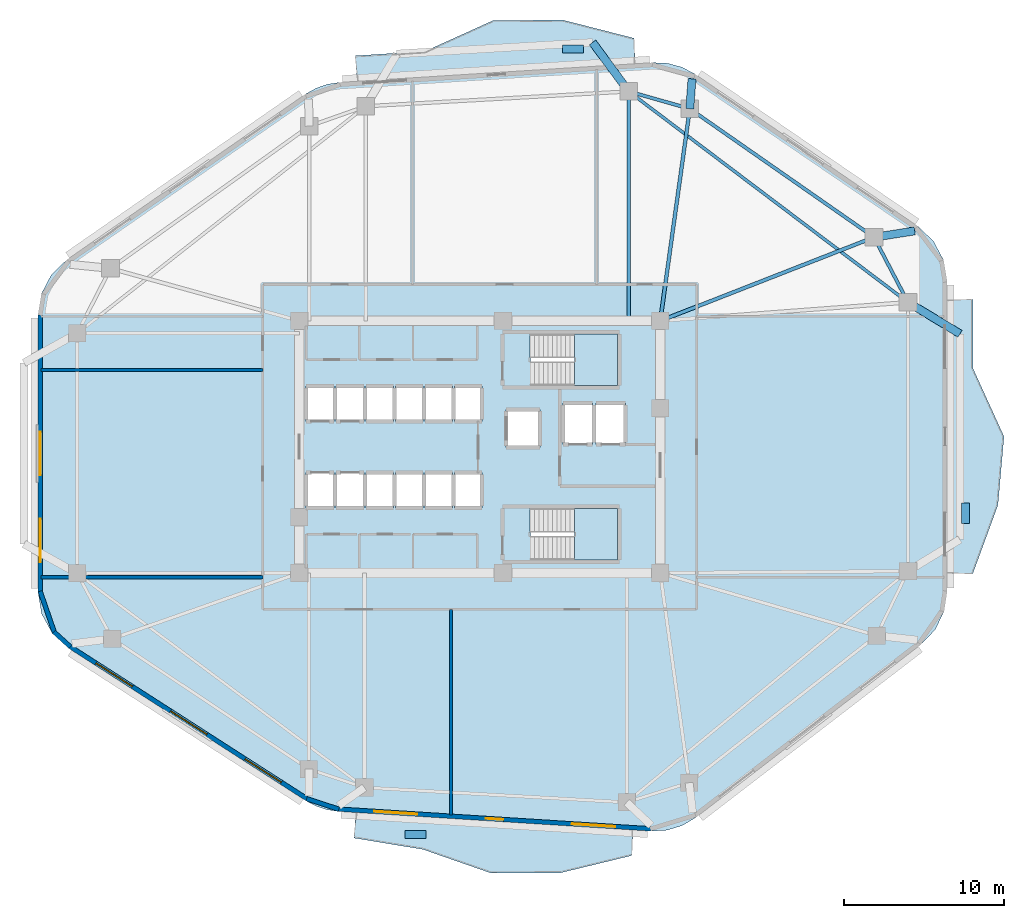
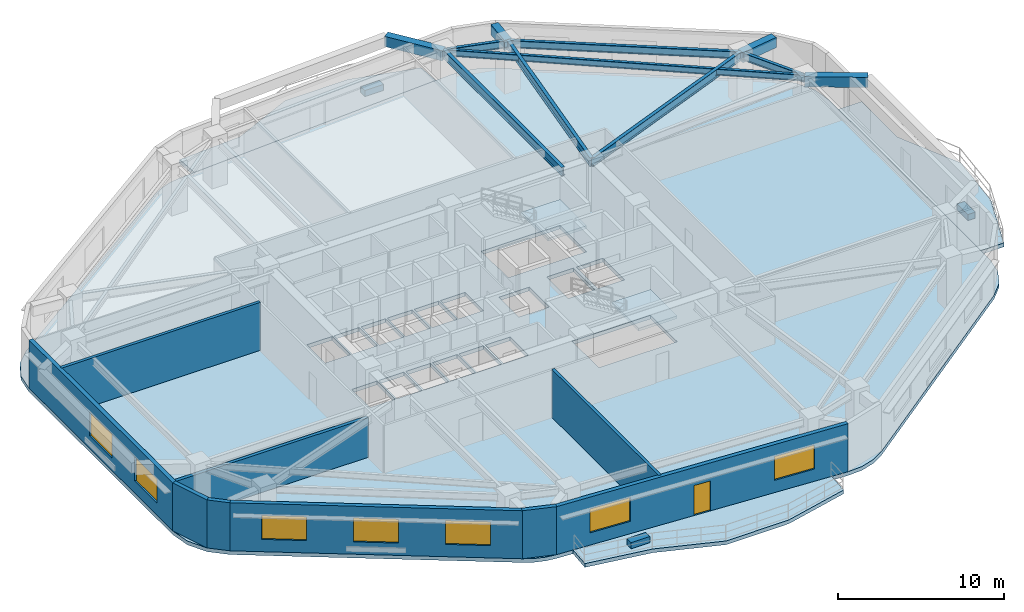
# One storey, part 2 of 9: 11 beams, 9 walls, 7 windows, 6 slabs, 3 plates, 1 door, 8 openings, 2 elements without a shape of their own.
"""IFC4 building model written with IfcOpenShell, lengths in metres."""

from ifc_helpers import new_model, si_unit, direction, frame, frame_2d, origin, origin_2d, place, context, subcontext, project, spatial, polyline, rectangle, i_section, outline, extrude, material, layer, layer_set, material_profile, profile_set, type_object, element, fill, aggregate, save


model = new_model("IFC4")

# Units and contexts
model_context = context("Model", 3, precision=1e-05, world=origin(), true_north=direction((0.0, 1.0)))
body_context = subcontext(model_context, "Body", "Model", "MODEL_VIEW")
ifc_project = project(units=[si_unit("LENGTHUNIT", "METRE"), si_unit("AREAUNIT", "SQUARE_METRE"), si_unit("VOLUMEUNIT", "CUBIC_METRE"), si_unit("PLANEANGLEUNIT", "RADIAN"), si_unit("MASSUNIT", "GRAM", prefix="KILO")], contexts=[model_context])

# Site, building, storey
site_placement = place(None, origin())
site = spatial("IfcSite", under=ifc_project, at=site_placement, CompositionType="ELEMENT")
building_placement = place(site_placement, origin())
building = spatial("IfcBuilding", under=site, at=building_placement, Name="Zulverin Broadcast Headquarters", CompositionType="ELEMENT")
storey_placement = place(building_placement, frame((0.0, 0.0, 112.39990234375)))
storey = spatial("IfcBuildingStorey", under=building, at=storey_placement, Name="L28", CompositionType="ELEMENT", Elevation=112.39990234375)

# Beams
ifc_material_1 = material(Name="Concrete C40/50", Category="concrete")
ifc_material_profile_1 = material_profile(ifc_material_1, rectangle(XDim=0.5, YDim=0.75, at=origin_2d()), Name="Concrete C40/50", Category="concrete")
ifc_profile_set_1 = profile_set([ifc_material_profile_1], Name="Concrete C40/50")
beam_type_1 = type_object("IfcBeamType", Name="BM-RC-500x750", PredefinedType="BEAM", material=ifc_profile_set_1)
beam_1_placement = place(storey_placement, frame((61.630126953125, 38.298583984375, 3.150146484375), z_axis=(0.988133444256, 0.153597839639, 0.0), x_axis=(-0.153597839639, 0.988133444256, 0.0)))
element("IfcBeam", 1, at=beam_1_placement, inside=storey, type_object=beam_type_1, Name="L29 Plate Overhang Back-Spanned Beam OVR-07", PredefinedType="BEAM", context=body_context, shape_type="SweptSolid", body=[
    extrude(rectangle(XDim=0.5, YDim=0.75, at=origin_2d()), origin(), (0.0, 0.0, 1.0), 2.57177734375),
])
beam_2_placement = place(storey_placement, frame((50.121826171875, 46.325927734375, 3.150146484375), z_axis=(0.073023006252, 0.997330256514, 0.0), x_axis=(-0.997330256514, 0.073023006252, 0.0)))
element("IfcBeam", 2, at=beam_2_placement, inside=storey, type_object=beam_type_1, Name="L29 Plate Overhang Back-Spanned Beam OVR-08", PredefinedType="BEAM", context=body_context, shape_type="SweptSolid", body=[
    extrude(rectangle(XDim=0.5, YDim=0.75, at=origin_2d()), origin(), (0.0, 0.0, 1.0), 1.875732421875),
])
for number, where, z_axis, x_axis, name in (
    (3, (63.75, 34.235107421875, 3.150146484375), (0.855593685746, -0.517647993246, 0.0), (0.517647993246, 0.855593685746, 0.0), "L29 Balcony Column-Framed Cantilever BAL_E-2"),
    (4, (46.30224609375, 47.4091796875, 3.150146484375), (-0.592925064887, 0.805257640404, 0.0), (-0.805257640404, -0.592925064887, 0.0), "L29 Balcony Column-Framed Cantilever BAL_N-1"),
):
    element("IfcBeam", number, at=place(storey_placement, frame(where, z_axis=z_axis, x_axis=x_axis)), inside=storey, type_object=beam_type_1, Name=name, PredefinedType="BEAM", context=body_context, shape_type="SweptSolid", body=[
        extrude(rectangle(XDim=0.5, YDim=0.75, at=origin_2d()), origin(), (0.0, 0.0, 1.0), 3.800048828125),
    ])
ifc_material_2 = material(Name="Structural steel S355JR", Category="steel")
ifc_material_profile_2 = material_profile(ifc_material_2, i_section(OverallWidth=0.19287109375, OverallDepth=0.46728515625, WebThickness=0.011474609375, FlangeThickness=0.01953125, at=origin_2d()), Name="Structural steel S355JR", Category="steel")
ifc_profile_set_2 = profile_set([ifc_material_profile_2], Name="Structural steel S355JR")
beam_type_2 = type_object("IfcBeamType", Name="BM-UB-457", PredefinedType="JOIST", material=ifc_profile_set_2)
beam_3_placement = place(storey_placement, frame((63.75, 34.235107421875, 3.29150390625), z_axis=(-0.798058136838, 0.602580459546, 0.0), x_axis=(-0.602580459546, -0.798058136838, 0.0)))
element("IfcBeam", 5, at=beam_3_placement, inside=storey, type_object=beam_type_2, Name="L28 Chordal Floor Joist J-02", PredefinedType="JOIST", context=body_context, shape_type="SweptSolid", body=[
    extrude(i_section(OverallWidth=0.19287109375, OverallDepth=0.46728515625, WebThickness=0.011474609375, FlangeThickness=0.01953125, at=origin_2d()), origin(), (0.0, 0.0, 1.0), 21.86279296875),
])
ifc_material_profile_3 = material_profile(ifc_material_2, i_section(OverallWidth=0.2119140625, OverallDepth=0.54443359375, WebThickness=0.0126953125, FlangeThickness=0.021240234375, at=origin_2d()), Name="Structural steel S355JR", Category="steel")
ifc_profile_set_3 = profile_set([ifc_material_profile_3], Name="Structural steel S355JR")
beam_type_3 = type_object("IfcBeamType", Name="BM-UB-533", PredefinedType="SPANDREL", material=ifc_profile_set_3)
beam_4_placement = place(storey_placement, frame((63.75, 34.235107421875, 3.252685546875), z_axis=(-0.462531417359, 0.886602891917, 0.0), x_axis=(-0.886602891917, -0.462531417359, 0.0)))
element("IfcBeam", 6, at=beam_4_placement, inside=storey, type_object=beam_type_3, Name="L28 Perimeter Spandrel Beam SP-06", PredefinedType="SPANDREL", context=body_context, shape_type="SweptSolid", body=[
    extrude(i_section(OverallWidth=0.2119140625, OverallDepth=0.54443359375, WebThickness=0.0126953125, FlangeThickness=0.021240234375, at=origin_2d()), origin(), (0.0, 0.0, 1.0), 4.583251953125),
])
beam_5_placement = place(storey_placement, frame((61.630126953125, 38.298583984375, 3.252685546875), z_axis=(-0.820183915206, 0.5720999434, 0.0), x_axis=(-0.5720999434, -0.820183915206, 0.0)))
element("IfcBeam", 7, at=beam_5_placement, inside=storey, type_object=beam_type_3, Name="L28 Perimeter Spandrel Beam SP-07", PredefinedType="SPANDREL", context=body_context, shape_type="SweptSolid", body=[
    extrude(i_section(OverallWidth=0.2119140625, OverallDepth=0.54443359375, WebThickness=0.0126953125, FlangeThickness=0.021240234375, at=origin_2d()), origin(), (0.0, 0.0, 1.0), 14.03125),
])
beam_6_placement = place(storey_placement, frame((50.121826171875, 46.325927734375, 3.252685546875), z_axis=(-0.962058150721, 0.272844487999, 0.0), x_axis=(-0.272844487999, -0.962058150721, 0.0)))
element("IfcBeam", 8, at=beam_6_placement, inside=storey, type_object=beam_type_3, Name="L28 Perimeter Spandrel Beam SP-08", PredefinedType="SPANDREL", context=body_context, shape_type="SweptSolid", body=[
    extrude(i_section(OverallWidth=0.2119140625, OverallDepth=0.54443359375, WebThickness=0.0126953125, FlangeThickness=0.021240234375, at=origin_2d()), origin(), (0.0, 0.0, 1.0), 3.97021484375),
])
ifc_material_profile_4 = material_profile(ifc_material_2, i_section(OverallWidth=0.230224609375, OverallDepth=0.6171875, WebThickness=0.01318359375, FlangeThickness=0.022216796875, at=origin_2d()), Name="Structural steel S355JR", Category="steel")
ifc_profile_set_4 = profile_set([ifc_material_profile_4], Name="Structural steel S355JR")
beam_type_4 = type_object("IfcBeamType", Name="BM-UB-610", PredefinedType="BEAM", material=ifc_profile_set_4)
beam_7_placement = place(storey_placement, frame((48.27490234375, 33.074951171875, 3.216552734375), z_axis=(0.931297778153, 0.364258765723, 0.0), x_axis=(-0.364258765723, 0.931297778153, 0.0)))
element("IfcBeam", 9, at=beam_7_placement, inside=storey, type_object=beam_type_4, Name="L28 Radial Primary Floor Beam RB-07", PredefinedType="BEAM", context=body_context, shape_type="SweptSolid", body=[
    extrude(i_section(OverallWidth=0.230224609375, OverallDepth=0.6171875, WebThickness=0.01318359375, FlangeThickness=0.022216796875, at=origin_2d()), origin(), (0.0, 0.0, 1.0), 14.34033203125),
])
beam_8_placement = place(storey_placement, frame((48.27490234375, 33.074951171875, 3.216552734375), z_axis=(0.138045758193, 0.990425852169, 0.0), x_axis=(-0.990425852169, 0.138045758193, 0.0)))
element("IfcBeam", 10, at=beam_8_placement, inside=storey, type_object=beam_type_4, Name="L28 Radial Primary Floor Beam RB-08", PredefinedType="BEAM", context=body_context, shape_type="SweptSolid", body=[
    extrude(i_section(OverallWidth=0.230224609375, OverallDepth=0.6171875, WebThickness=0.01318359375, FlangeThickness=0.022216796875, at=origin_2d()), origin(), (0.0, 0.0, 1.0), 13.379150390625),
])
beam_9_placement = place(storey_placement, frame((46.30224609375, 33.074951171875, 3.216552734375), z_axis=(0.0, 1.0, 0.0), x_axis=(-1.0, 0.0, 0.0)))
element("IfcBeam", 11, at=beam_9_placement, inside=storey, type_object=beam_type_4, Name="L28 Radial Primary Floor Beam RB-09", PredefinedType="BEAM", context=body_context, shape_type="SweptSolid", body=[
    extrude(i_section(OverallWidth=0.230224609375, OverallDepth=0.6171875, WebThickness=0.01318359375, FlangeThickness=0.022216796875, at=origin_2d()), origin(), (0.0, 0.0, 1.0), 14.334228515625),
])

# Plates
ifc_material_3 = material(Name="Precast concrete C45/55", Category="concrete")
ifc_layer_1 = layer(ifc_material_3, 0.449951171875, Name="Precast concrete C45/55", Category="concrete")
ifc_layer_set_1 = layer_set([ifc_layer_1], Name="Precast concrete C45/55")
plate_type = type_object("IfcPlateType", Name="PT-01_PRECAST_GFRC_TREE_PLANTER", PredefinedType="USERDEFINED", material=ifc_layer_set_1)
for number, where, z_axis, x_axis, name in (
    (12, (67.35009765625, 21.05224609375, -0.0048828125), (0.0, 0.0, 1.0), (0.0, 1.0, 0.0), "L28 Precast GFRC Tree Planter BAL_E"),
    (13, (32.993408203125, 0.973876953125, -0.0048828125), (0.0, 0.0, 1.0), (1.0, 0.0, 0.0), "L28 Precast GFRC Tree Planter BAL_S"),
    (14, (42.825927734375, 50.04638671875, -0.0048828125), (0.0, 0.0, 1.0), (1.0, 0.0, 0.0), "L28 Precast GFRC Tree Planter BAL_N"),
):
    element("IfcPlate", number, at=place(storey_placement, frame(where, z_axis=z_axis, x_axis=x_axis)), inside=storey, type_object=plate_type, Name=name, ObjectType="PLANTER", PredefinedType="USERDEFINED", context=body_context, shape_type="SweptSolid", body=[
        extrude(rectangle(XDim=1.300048828125, YDim=0.5, at=origin_2d()), origin(), (0.0, 0.0, 1.0), 0.449951171875),
    ])

# Slabs
ifc_layer_2 = layer(ifc_material_1, 0.27490234375, Name="Concrete C40/50", Category="concrete")
ifc_layer_set_2 = layer_set([ifc_layer_2], Name="Concrete C40/50")
slab_type_1 = type_object("IfcSlabType", Name="SLB-BAL-275", PredefinedType="FLOOR", material=ifc_layer_set_2)
slab_1_placement = place(storey_placement, frame((0.0, 0.0, -0.27490234375)))
element("IfcSlab", 15, at=slab_1_placement, inside=storey, type_object=slab_type_1, Name="L28 Cantilevered Planted Balcony Slab BAL_E", PredefinedType="FLOOR", context=body_context, shape_type="SweptSolid", body=[
    extrude(outline(polyline([(66.199951171875, 34.41455078125), (66.199951171875, 17.283447265625), (67.800048828125, 17.283447265625), (69.3720703125, 21.566162109375), (69.75, 25.848876953125), (67.800048828125, 30.131591796875), (67.800048828125, 34.41455078125), (66.199951171875, 34.41455078125)])), origin(), (0.0, 0.0, 1.0), 0.27490234375),
])
slab_2_placement = place(storey_placement, frame((0.0, 0.0, -0.27490234375)))
element("IfcSlab", 16, at=slab_2_placement, inside=storey, type_object=slab_type_1, Name="L28 Cantilevered Planted Balcony Slab BAL_S", PredefinedType="FLOOR", context=body_context, shape_type="SweptSolid", body=[
    extrude(outline(polyline([(46.5927734375, 1.268310546875), (29.250244140625, 2.3623046875), (29.149658203125, 0.765380859375), (33.45751953125, 0.054443359375), (37.717041015625, -1.42822265625), (42.071533203125, -1.401611328125), (46.4921875, -0.328369140625), (46.5927734375, 1.268310546875)])), origin(), (0.0, 0.0, 1.0), 0.27490234375),
])
slab_3_placement = place(storey_placement, frame((0.0, 0.0, -0.27490234375)))
element("IfcSlab", 17, at=slab_3_placement, inside=storey, type_object=slab_type_1, Name="L28 Cantilevered Planted Balcony Slab BAL_N", PredefinedType="FLOOR", context=body_context, shape_type="SweptSolid", body=[
    extrude(outline(polyline([(29.330078125, 48.04296875), (46.72509765625, 49.139892578125), (46.62451171875, 50.73681640625), (42.18701171875, 51.871337890625), (37.8232421875, 51.8349609375), (33.578369140625, 49.9140625), (29.2294921875, 49.639892578125), (29.330078125, 48.04296875)])), origin(), (0.0, 0.0, 1.0), 0.27490234375),
])

# Stair, slab
stair_type = type_object("IfcStairType", Name="ST-CORE-1500", PredefinedType="HALF_TURN_STAIR", material=ifc_material_1)
stair_1_placement = place(storey_placement, origin())
stair_1 = element("IfcStair", 18, at=stair_1_placement, inside=storey, type_object=stair_type, Name="L28 Core Exit Stair ST-1", PredefinedType="HALF_TURN_STAIR")
ifc_layer_3 = layer(ifc_material_1, 0.199951171875, Name="Concrete C40/50", Category="concrete")
ifc_layer_set_3 = layer_set([ifc_layer_3], Name="Concrete C40/50")
slab_type_2 = type_object("IfcSlabType", Name="SLB-ST-LND200", PredefinedType="LANDING", material=ifc_layer_set_3)
slab_4_placement = place(storey_placement, frame((0.0, 0.0, 1.7001953125)))
slab_4 = element("IfcSlab", 19, at=slab_4_placement, type_object=slab_type_2, Name="ST-1 landing 1", PredefinedType="LANDING", context=body_context, shape_type="SweptSolid", body=[
    extrude(outline(polyline([(42.929931640625, 29.050048828125), (45.60009765625, 29.050048828125), (45.60009765625, 32.25), (42.929931640625, 32.25), (42.929931640625, 29.050048828125)])), origin(), (0.0, 0.0, 1.0), 0.199951171875),
])
aggregate(stair_1, [slab_4])

stair_2_placement = place(storey_placement, origin())
stair_2 = element("IfcStair", 20, at=stair_2_placement, inside=storey, type_object=stair_type, Name="L28 Core Exit Stair ST-2", PredefinedType="HALF_TURN_STAIR")
slab_5_placement = place(storey_placement, frame((0.0, 0.0, 1.7001953125)))
slab_5 = element("IfcSlab", 21, at=slab_5_placement, type_object=slab_type_2, Name="ST-2 landing 1", PredefinedType="LANDING", context=body_context, shape_type="SweptSolid", body=[
    extrude(outline(polyline([(42.929931640625, 18.14990234375), (45.60009765625, 18.14990234375), (45.60009765625, 21.35009765625), (42.929931640625, 21.35009765625), (42.929931640625, 18.14990234375)])), origin(), (0.0, 0.0, 1.0), 0.199951171875),
])
aggregate(stair_2, [slab_5])

# Slab
ifc_layer_4 = layer(ifc_material_1, 0.27490234375, Name="Concrete C40/50", Category="concrete")
ifc_layer_set_4 = layer_set([ifc_layer_4], Name="Concrete C40/50")
slab_type_3 = type_object("IfcSlabType", Name="SLB-TWR-275", PredefinedType="FLOOR", material=ifc_layer_set_4)
slab_6_placement = place(storey_placement, frame((0.0, 0.0, -0.27490234375)))
element("IfcSlab", 22, at=slab_6_placement, inside=storey, type_object=slab_type_3, Name="L28 Main Structural Floor Slab", PredefinedType="FLOOR", context=body_context, shape_type="SweptSolid", body=[
    extrude(outline(polyline([(26.146484375, 3.089599609375), (26.774658203125, 2.75732421875), (27.44970703125, 2.535888671875), (28.152587890625, 2.431396484375), (47.690673828125, 1.19921875), (48.69189453125, 1.256103515625), (49.6513671875, 1.548828125), (50.51416015625, 2.060546875), (64.55908203125, 12.85302734375), (65.44140625, 13.77587890625), (66.005859375, 14.92138671875), (66.199951171875, 16.183349609375), (66.199951171875, 35.514404296875), (65.981689453125, 36.85107421875), (65.349365234375, 38.048583984375), (64.368896484375, 38.982666015625), (50.456298828125, 48.485595703125), (49.639404296875, 48.920166015625), (48.747314453125, 49.165283203125), (47.822998046875, 49.208984375), (28.232421875, 47.9736328125), (27.481201171875, 47.857421875), (26.76318359375, 47.607666015625), (26.102294921875, 47.232666015625), (11.20556640625, 36.89501953125), (10.238037109375, 35.9619140625), (9.614990234375, 34.77099609375), (9.39990234375, 33.4443359375), (9.39990234375, 16.1435546875), (9.631103515625, 14.769775390625), (10.298583984375, 13.547119140625), (11.32958984375, 12.610107421875), (26.146484375, 3.089599609375)]), holes=[polyline([(40.155029296875, 30.75), (40.130126953125, 30.75), (40.130126953125, 32.25), (45.60009765625, 32.25), (45.60009765625, 29.050048828125), (40.155029296875, 29.050048828125), (40.155029296875, 30.75)]), polyline([(40.155029296875, 19.85009765625), (40.130126953125, 19.85009765625), (40.130126953125, 21.35009765625), (45.60009765625, 21.35009765625), (45.60009765625, 18.14990234375), (40.155029296875, 18.14990234375), (40.155029296875, 19.85009765625)]), polyline([(26.14990234375, 26.800048828125), (27.89990234375, 26.800048828125), (27.89990234375, 29.0), (26.14990234375, 29.0), (26.14990234375, 26.800048828125)]), polyline([(28.02001953125, 26.800048828125), (29.77001953125, 26.800048828125), (29.77001953125, 29.0), (28.02001953125, 29.0), (28.02001953125, 26.800048828125)]), polyline([(26.14990234375, 21.39990234375), (27.89990234375, 21.39990234375), (27.89990234375, 23.60009765625), (26.14990234375, 23.60009765625), (26.14990234375, 21.39990234375)]), polyline([(28.02001953125, 21.39990234375), (29.77001953125, 21.39990234375), (29.77001953125, 23.60009765625), (28.02001953125, 23.60009765625), (28.02001953125, 21.39990234375)]), polyline([(29.89990234375, 21.39990234375), (31.6201171875, 21.39990234375), (31.6201171875, 23.60009765625), (29.89990234375, 23.60009765625), (29.89990234375, 21.39990234375)]), polyline([(31.739990234375, 21.39990234375), (33.4599609375, 21.39990234375), (33.4599609375, 23.60009765625), (31.739990234375, 23.60009765625), (31.739990234375, 21.39990234375)]), polyline([(33.580078125, 21.39990234375), (35.300048828125, 21.39990234375), (35.300048828125, 23.60009765625), (33.580078125, 23.60009765625), (33.580078125, 21.39990234375)]), polyline([(35.419921875, 21.39990234375), (37.139892578125, 21.39990234375), (37.139892578125, 23.60009765625), (35.419921875, 23.60009765625), (35.419921875, 21.39990234375)]), polyline([(29.89990234375, 26.800048828125), (31.6201171875, 26.800048828125), (31.6201171875, 29.0), (29.89990234375, 29.0), (29.89990234375, 26.800048828125)]), polyline([(31.739990234375, 26.800048828125), (33.4599609375, 26.800048828125), (33.4599609375, 29.0), (31.739990234375, 29.0), (31.739990234375, 26.800048828125)]), polyline([(33.580078125, 26.800048828125), (35.300048828125, 26.800048828125), (35.300048828125, 29.0), (33.580078125, 29.0), (33.580078125, 26.800048828125)]), polyline([(35.419921875, 26.800048828125), (37.139892578125, 26.800048828125), (37.139892578125, 29.0), (35.419921875, 29.0), (35.419921875, 26.800048828125)]), polyline([(42.199951171875, 25.35009765625), (44.050048828125, 25.35009765625), (44.050048828125, 27.949951171875), (42.199951171875, 27.949951171875), (42.199951171875, 25.35009765625)]), polyline([(44.25, 25.35009765625), (46.10009765625, 25.35009765625), (46.10009765625, 27.949951171875), (44.25, 27.949951171875), (44.25, 25.35009765625)]), polyline([(38.64990234375, 25.14990234375), (40.75, 25.14990234375), (40.75, 27.550048828125), (38.64990234375, 27.550048828125), (38.64990234375, 25.14990234375)])]), origin(), (0.0, 0.0, 1.0), 0.27490234375),
])

# Walls
ifc_material_4 = material(Name="Acoustic drywall steel stud", Category="steel")
ifc_layer_5 = layer(ifc_material_4, 0.199951171875, Name="Acoustic drywall steel stud", Category="steel")
ifc_layer_set_5 = layer_set([ifc_layer_5], Name="Acoustic drywall steel stud")
wall_type_1 = type_object("IfcWallType", Name="WL-ACOU-200", PredefinedType="PARTITIONING", material=ifc_layer_set_5)
wall_1_placement = place(storey_placement, frame((35.199951171875, 2.19189453125, 0.0), z_axis=(0.0, 0.0, 1.0), x_axis=(0.0, 1.0, 0.0)))
element("IfcWall", 23, at=wall_1_placement, inside=storey, type_object=wall_type_1, Name="L28 Room Partition Wall RP-03", PredefinedType="PARTITIONING", context=body_context, shape_type="SweptSolid", body=[
    extrude(rectangle(XDim=12.858154296875, YDim=0.199951171875, at=frame_2d((6.42919921875, 0.0))), origin(), (0.0, 0.0, 1.0), 3.525146484375),
])
wall_2_placement = place(storey_placement, frame((9.60498046875, 30.0, 0.0), z_axis=(0.0, 0.0, 1.0), x_axis=(1.0, 0.0, 0.0)))
element("IfcWall", 24, at=wall_2_placement, inside=storey, type_object=wall_type_1, Name="L28 Room Partition Wall RP-09", PredefinedType="PARTITIONING", context=body_context, shape_type="SweptSolid", body=[
    extrude(rectangle(XDim=13.844970703125, YDim=0.199951171875, at=frame_2d((6.92236328125, 0.0))), origin(), (0.0, 0.0, 1.0), 3.525146484375),
])
ifc_material_5 = material(Name="Double-stud acoustic drywall", Category="gypsum")
ifc_layer_6 = layer(ifc_material_5, 0.219970703125, Name="Double-stud acoustic drywall", Category="gypsum")
ifc_layer_set_6 = layer_set([ifc_layer_6], Name="Double-stud acoustic drywall")
wall_type_2 = type_object("IfcWallType", Name="WL-ACOU-220", PredefinedType="PARTITIONING", material=ifc_layer_set_6)
wall_3_placement = place(storey_placement, frame((9.60498046875, 17.050048828125, 0.0), z_axis=(0.0, 0.0, 1.0), x_axis=(1.0, 0.0, 0.0)))
element("IfcWall", 25, at=wall_3_placement, inside=storey, type_object=wall_type_2, Name="L28 Room Partition Wall RP-07", PredefinedType="PARTITIONING", context=body_context, shape_type="SweptSolid", body=[
    extrude(rectangle(XDim=13.844970703125, YDim=0.219970703125, at=frame_2d((6.92236328125, 0.0))), origin(), (0.0, 0.0, 1.0), 2.907958984375),
])

# Wall, openings, door, windows
ifc_material_6 = material(Name="Insulated pale-metal clad concrete spandrel C40/50", Category="concrete")
ifc_layer_7 = layer(ifc_material_6, 0.280029296875, Name="Insulated pale-metal clad concrete spandrel C40/50", Category="concrete")
ifc_layer_set_7 = layer_set([ifc_layer_7], Name="Insulated pale-metal clad concrete spandrel C40/50")
wall_type_3 = type_object("IfcWallType", Name="WL-EXT-280", PredefinedType="STANDARD", material=ifc_layer_set_7)
wall_4_placement = place(storey_placement, frame((28.161376953125, 2.571044921875, 0.0), z_axis=(0.0, 0.0, 1.0), x_axis=(0.998017288298, -0.06294038654, 0.0)))
wall_4 = element("IfcWall", 26, at=wall_4_placement, inside=storey, type_object=wall_type_3, Name="L28 Pale-Metal Clad Spandrel Wall 1", PredefinedType="STANDARD", context=body_context, shape_type="SweptSolid", body=[
    extrude(rectangle(XDim=19.576904296875, YDim=0.280029296875, at=frame_2d((9.78857421875, 0.0))), origin(), (0.0, 0.0, 1.0), 3.525146484375),
])
opening_1_placement = place(wall_4_placement, frame((9.238525390625, 0.0, 0.0)))
opening_1 = element("IfcOpeningElement", 27, at=opening_1_placement, cuts=wall_4, Name="Opening D-L28-TR1", PredefinedType="OPENING", context=body_context, shape_type="SweptSolid", body=[
    extrude(rectangle(XDim=1.10009765625, YDim=2.199951171875, at=frame_2d((0.550048828125, 1.10009765625))), frame((0.0, 0.14990234375, 0.0), z_axis=(0.0, -1.0, 0.0), x_axis=(1.0, 0.0, 0.0)), (0.0, 0.0, 1.0), 0.300048828125),
])
opening_2_placement = place(wall_4_placement, frame((2.24609375, 0.0, 0.89990234375)))
opening_2 = element("IfcOpeningElement", 28, at=opening_2_placement, cuts=wall_4, Name="Opening W-L28-E11", PredefinedType="OPENING", context=body_context, shape_type="SweptSolid", body=[
    extrude(rectangle(XDim=2.699951171875, YDim=1.75, at=frame_2d((1.35009765625, 0.875))), frame((0.0, 0.14990234375, 0.0), z_axis=(0.0, -1.0, 0.0), x_axis=(1.0, 0.0, 0.0)), (0.0, 0.0, 1.0), 0.300048828125),
])
opening_3_placement = place(wall_4_placement, frame((14.630859375, 0.0, 0.89990234375)))
opening_3 = element("IfcOpeningElement", 29, at=opening_3_placement, cuts=wall_4, Name="Opening W-L28-E12", PredefinedType="OPENING", context=body_context, shape_type="SweptSolid", body=[
    extrude(rectangle(XDim=2.699951171875, YDim=1.75, at=frame_2d((1.35009765625, 0.875))), frame((0.0, 0.14990234375, 0.0), z_axis=(0.0, -1.0, 0.0), x_axis=(1.0, 0.0, 0.0)), (0.0, 0.0, 1.0), 0.300048828125),
])
ifc_material_7 = material(Name="Thermally broken aluminium glazed", Category="aluminium")
door_type = type_object("IfcDoorType", Name="DR-TERR-1100", OperationType="SINGLE_SWING_RIGHT", PredefinedType="DOOR", material=ifc_material_7)
door_placement = place(opening_1_placement, origin())
door = element("IfcDoor", 30, at=door_placement, inside=storey, type_object=door_type, Name="L28 Planted Terrace Glazed Access Door 1", OperationType="SINGLE_SWING_RIGHT", OverallHeight=2.199951171875, OverallWidth=1.10009765625, PredefinedType="DOOR", context=body_context, shape_type="SweptSolid", body=[
    extrude(rectangle(XDim=1.10009765625, YDim=2.199951171875, at=frame_2d((0.550048828125, 1.10009765625))), frame((0.0, 0.02490234375, 0.0), z_axis=(0.0, -1.0, 0.0), x_axis=(1.0, 0.0, 0.0)), (0.0, 0.0, 1.0), 0.050048828125),
])
fill(opening_1, door)
ifc_material_8 = material(Name="Pale anodized aluminium frame with solar-control low-E double glazing", Category="aluminium")
window_type = type_object("IfcWindowType", Name="WIN-TWR-2700", PartitioningType="SINGLE_PANEL", PredefinedType="WINDOW", material=ifc_material_8)
window_1_placement = place(opening_2_placement, origin())
window_1 = element("IfcWindow", 31, at=window_1_placement, inside=storey, type_object=window_type, Name="L28 Ribbon Glazing Window 1 1", OverallHeight=1.75, OverallWidth=2.699951171875, PartitioningType="SINGLE_PANEL", PredefinedType="WINDOW", context=body_context, shape_type="SweptSolid", body=[
    extrude(rectangle(XDim=2.699951171875, YDim=1.75, at=frame_2d((1.35009765625, 0.875))), frame((0.0, 0.030029296875, 0.0), z_axis=(0.0, -1.0, 0.0), x_axis=(1.0, 0.0, 0.0)), (0.0, 0.0, 1.0), 0.06005859375),
])
fill(opening_2, window_1)
window_2_placement = place(opening_3_placement, origin())
window_2 = element("IfcWindow", 32, at=window_2_placement, inside=storey, type_object=window_type, Name="L28 Ribbon Glazing Window 1 2", OverallHeight=1.75, OverallWidth=2.699951171875, PartitioningType="SINGLE_PANEL", PredefinedType="WINDOW", context=body_context, shape_type="SweptSolid", body=[
    extrude(rectangle(XDim=2.699951171875, YDim=1.75, at=frame_2d((1.35009765625, 0.875))), frame((0.0, 0.030029296875, 0.0), z_axis=(0.0, -1.0, 0.0), x_axis=(1.0, 0.0, 0.0)), (0.0, 0.0, 1.0), 0.06005859375),
])
fill(opening_3, window_2)

# Wall, openings, windows
wall_5_placement = place(storey_placement, frame((9.5400390625, 33.4443359375, 0.0), z_axis=(0.0, 0.0, 1.0), x_axis=(0.0, -1.0, 0.0)))
wall_5 = element("IfcWall", 33, at=wall_5_placement, inside=storey, type_object=wall_type_3, Name="L28 Pale-Metal Clad Spandrel Wall 7", PredefinedType="STANDARD", context=body_context, shape_type="SweptSolid", body=[
    extrude(rectangle(XDim=17.30078125, YDim=0.280029296875, at=frame_2d((8.650390625, 0.0))), origin(), (0.0, 0.0, 1.0), 3.525146484375),
])
opening_4_placement = place(wall_5_placement, frame((7.30029296875, 0.0, 0.89990234375)))
opening_4 = element("IfcOpeningElement", 34, at=opening_4_placement, cuts=wall_5, Name="Opening W-L28-E71", PredefinedType="OPENING", context=body_context, shape_type="SweptSolid", body=[
    extrude(rectangle(XDim=2.699951171875, YDim=1.75, at=frame_2d((1.35009765625, 0.875))), frame((0.0, 0.14990234375, 0.0), z_axis=(0.0, -1.0, 0.0), x_axis=(1.0, 0.0, 0.0)), (0.0, 0.0, 1.0), 0.300048828125),
])
opening_5_placement = place(wall_5_placement, frame((12.73388671875, 0.0, 0.89990234375)))
opening_5 = element("IfcOpeningElement", 35, at=opening_5_placement, cuts=wall_5, Name="Opening W-L28-E72", PredefinedType="OPENING", context=body_context, shape_type="SweptSolid", body=[
    extrude(rectangle(XDim=2.699951171875, YDim=1.75, at=frame_2d((1.35009765625, 0.875))), frame((0.0, 0.14990234375, 0.0), z_axis=(0.0, -1.0, 0.0), x_axis=(1.0, 0.0, 0.0)), (0.0, 0.0, 1.0), 0.300048828125),
])
window_3_placement = place(opening_4_placement, origin())
window_3 = element("IfcWindow", 36, at=window_3_placement, inside=storey, type_object=window_type, Name="L28 Ribbon Glazing Window 7 1", OverallHeight=1.75, OverallWidth=2.699951171875, PartitioningType="SINGLE_PANEL", PredefinedType="WINDOW", context=body_context, shape_type="SweptSolid", body=[
    extrude(rectangle(XDim=2.699951171875, YDim=1.75, at=frame_2d((1.35009765625, 0.875))), frame((0.0, 0.030029296875, 0.0), z_axis=(0.0, -1.0, 0.0), x_axis=(1.0, 0.0, 0.0)), (0.0, 0.0, 1.0), 0.06005859375),
])
fill(opening_4, window_3)
window_4_placement = place(opening_5_placement, origin())
window_4 = element("IfcWindow", 37, at=window_4_placement, inside=storey, type_object=window_type, Name="L28 Ribbon Glazing Window 7 2", OverallHeight=1.75, OverallWidth=2.699951171875, PartitioningType="SINGLE_PANEL", PredefinedType="WINDOW", context=body_context, shape_type="SweptSolid", body=[
    extrude(rectangle(XDim=2.699951171875, YDim=1.75, at=frame_2d((1.35009765625, 0.875))), frame((0.0, 0.030029296875, 0.0), z_axis=(0.0, -1.0, 0.0), x_axis=(1.0, 0.0, 0.0)), (0.0, 0.0, 1.0), 0.06005859375),
])
fill(opening_5, window_4)

wall_6_placement = place(storey_placement, frame((11.4052734375, 12.727783203125, 0.0), z_axis=(0.0, 0.0, 1.0), x_axis=(0.841304564637, -0.540561402175, 0.0)))
wall_6 = element("IfcWall", 38, at=wall_6_placement, inside=storey, type_object=wall_type_3, Name="L28 Pale-Metal Clad Spandrel Wall 8", PredefinedType="STANDARD", context=body_context, shape_type="SweptSolid", body=[
    extrude(rectangle(XDim=17.61181640625, YDim=0.280029296875, at=frame_2d((8.805908203125, 0.0))), origin(), (0.0, 0.0, 1.0), 3.525146484375),
])
opening_6_placement = place(wall_6_placement, frame((1.918701171875, 0.0, 0.89990234375)))
opening_6 = element("IfcOpeningElement", 39, at=opening_6_placement, cuts=wall_6, Name="Opening W-L28-E81", PredefinedType="OPENING", context=body_context, shape_type="SweptSolid", body=[
    extrude(rectangle(XDim=2.699951171875, YDim=1.75, at=frame_2d((1.35009765625, 0.875))), frame((0.0, 0.14990234375, 0.0), z_axis=(0.0, -1.0, 0.0), x_axis=(1.0, 0.0, 0.0)), (0.0, 0.0, 1.0), 0.300048828125),
])
opening_7_placement = place(wall_6_placement, frame((7.455810546875, 0.0, 0.89990234375)))
opening_7 = element("IfcOpeningElement", 40, at=opening_7_placement, cuts=wall_6, Name="Opening W-L28-E82", PredefinedType="OPENING", context=body_context, shape_type="SweptSolid", body=[
    extrude(rectangle(XDim=2.699951171875, YDim=1.75, at=frame_2d((1.35009765625, 0.875))), frame((0.0, 0.14990234375, 0.0), z_axis=(0.0, -1.0, 0.0), x_axis=(1.0, 0.0, 0.0)), (0.0, 0.0, 1.0), 0.300048828125),
])
opening_8_placement = place(wall_6_placement, frame((12.9931640625, 0.0, 0.89990234375)))
opening_8 = element("IfcOpeningElement", 41, at=opening_8_placement, cuts=wall_6, Name="Opening W-L28-E83", PredefinedType="OPENING", context=body_context, shape_type="SweptSolid", body=[
    extrude(rectangle(XDim=2.699951171875, YDim=1.75, at=frame_2d((1.35009765625, 0.875))), frame((0.0, 0.14990234375, 0.0), z_axis=(0.0, -1.0, 0.0), x_axis=(1.0, 0.0, 0.0)), (0.0, 0.0, 1.0), 0.300048828125),
])
window_5_placement = place(opening_6_placement, origin())
window_5 = element("IfcWindow", 42, at=window_5_placement, inside=storey, type_object=window_type, Name="L28 Ribbon Glazing Window 8 1", OverallHeight=1.75, OverallWidth=2.699951171875, PartitioningType="SINGLE_PANEL", PredefinedType="WINDOW", context=body_context, shape_type="SweptSolid", body=[
    extrude(rectangle(XDim=2.699951171875, YDim=1.75, at=frame_2d((1.35009765625, 0.875))), frame((0.0, 0.030029296875, 0.0), z_axis=(0.0, -1.0, 0.0), x_axis=(1.0, 0.0, 0.0)), (0.0, 0.0, 1.0), 0.06005859375),
])
fill(opening_6, window_5)
window_6_placement = place(opening_7_placement, origin())
window_6 = element("IfcWindow", 43, at=window_6_placement, inside=storey, type_object=window_type, Name="L28 Ribbon Glazing Window 8 2", OverallHeight=1.75, OverallWidth=2.699951171875, PartitioningType="SINGLE_PANEL", PredefinedType="WINDOW", context=body_context, shape_type="SweptSolid", body=[
    extrude(rectangle(XDim=2.699951171875, YDim=1.75, at=frame_2d((1.35009765625, 0.875))), frame((0.0, 0.030029296875, 0.0), z_axis=(0.0, -1.0, 0.0), x_axis=(1.0, 0.0, 0.0)), (0.0, 0.0, 1.0), 0.06005859375),
])
fill(opening_7, window_6)
window_7_placement = place(opening_8_placement, origin())
window_7 = element("IfcWindow", 44, at=window_7_placement, inside=storey, type_object=window_type, Name="L28 Ribbon Glazing Window 8 3", OverallHeight=1.75, OverallWidth=2.699951171875, PartitioningType="SINGLE_PANEL", PredefinedType="WINDOW", context=body_context, shape_type="SweptSolid", body=[
    extrude(rectangle(XDim=2.699951171875, YDim=1.75, at=frame_2d((1.35009765625, 0.875))), frame((0.0, 0.030029296875, 0.0), z_axis=(0.0, -1.0, 0.0), x_axis=(1.0, 0.0, 0.0)), (0.0, 0.0, 1.0), 0.06005859375),
])
fill(opening_8, window_7)

# Walls
wall_7_placement = place(storey_placement, frame((9.5322265625, 16.189453125, 0.0), z_axis=(0.0, 0.0, 1.0), x_axis=(0.32708309668, -0.944995580871, 0.0)))
element("IfcWall", 45, at=wall_7_placement, inside=storey, type_object=wall_type_3, Name="L28 Wind-Shaped Corner Spandrel Wall 7-1", PredefinedType="STANDARD", context=body_context, shape_type="SweptSolid", body=[
    extrude(rectangle(XDim=2.74755859375, YDim=0.280029296875, at=frame_2d((1.373779296875, 0.0))), origin(), (0.0, 0.0, 1.0), 3.525146484375),
])
wall_8_placement = place(storey_placement, frame((10.392822265625, 13.650634765625, 0.0), z_axis=(0.0, 0.0, 1.0), x_axis=(0.74003521851, -0.672568119498, 0.0)))
element("IfcWall", 46, at=wall_8_placement, inside=storey, type_object=wall_type_3, Name="L28 Wind-Shaped Corner Spandrel Wall 7-2", PredefinedType="STANDARD", context=body_context, shape_type="SweptSolid", body=[
    extrude(rectangle(XDim=1.39306640625, YDim=0.280029296875, at=frame_2d((0.696533203125, 0.0))), origin(), (0.0, 0.0, 1.0), 3.525146484375),
])
wall_9_placement = place(storey_placement, frame((26.18994140625, 3.22265625, 0.0), z_axis=(0.0, 0.0, 1.0), x_axis=(0.95016442175, -0.311749212734, 0.0)))
element("IfcWall", 47, at=wall_9_placement, inside=storey, type_object=wall_type_3, Name="L28 Wind-Shaped Corner Spandrel Wall 8-1", PredefinedType="STANDARD", context=body_context, shape_type="SweptSolid", body=[
    extrude(rectangle(XDim=2.111328125, YDim=0.280029296875, at=frame_2d((1.0556640625, 0.0))), origin(), (0.0, 0.0, 1.0), 3.525146484375),
])

save(model, "model.ifc")
